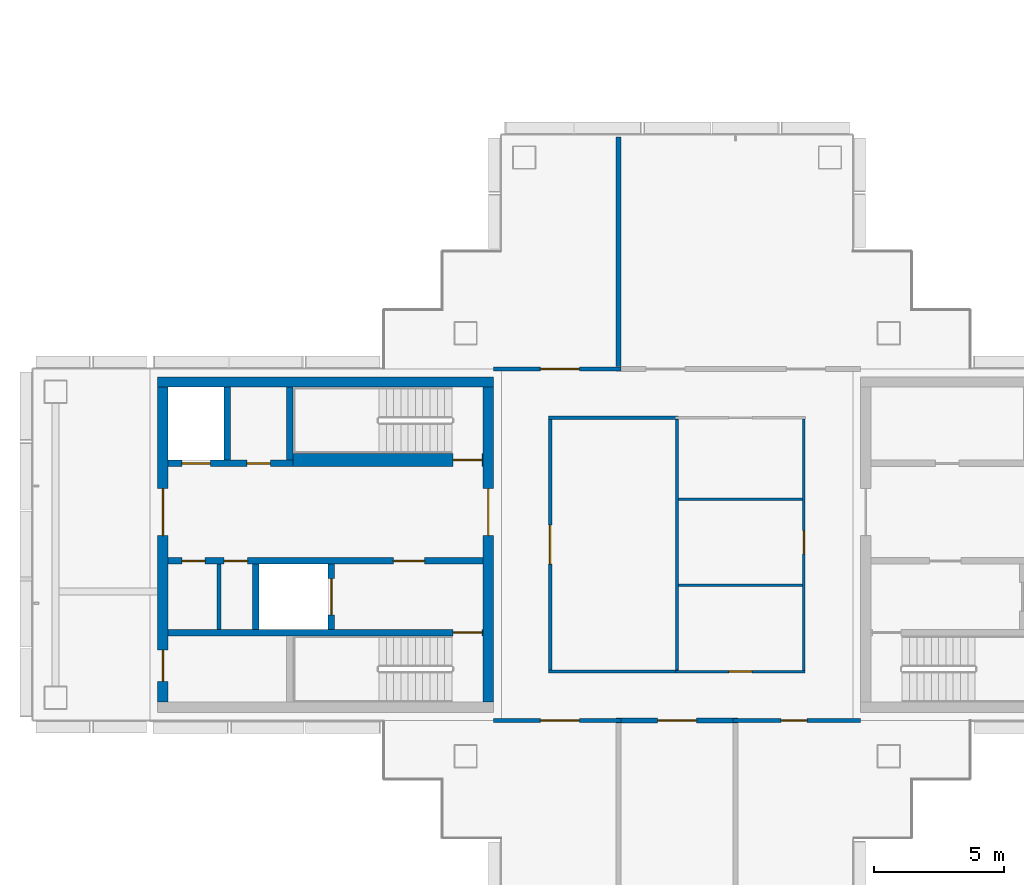
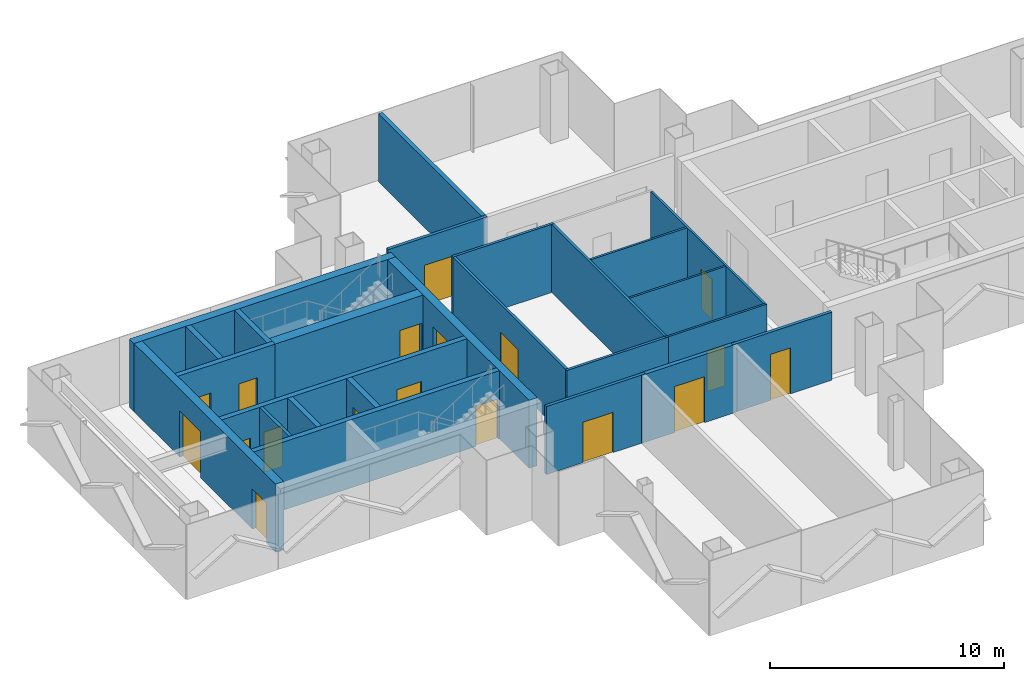
# One storey, part 9 of 17: 25 walls, 18 doors, 18 openings.
"""IFC4 building model written with IfcOpenShell, lengths in metres."""

import ifcopenshell
import ifcopenshell.guid

model = None  # the IFC model being written
_history = None  # IfcOwnerHistory: only IFC2X3 demands one
_inside = {}  # id of a spatial element -> (the spatial element, [elements in it])
_under = {}  # id of a project, library or spatial element -> (it, [spatial elements below it])
_declared = {}  # id of a project -> (the project, [libraries it declares])
_typed = {}  # id of a type object -> (the type object, [elements of that type])
_made_of = {}  # id of a material, layer set ... -> (it, [elements and type objects made of it])


def new_model(schema):
    """Start an empty IFC model of exactly this schema.

    Asked for "IFC4X3", IfcOpenShell would pick the latest addendum, in which some entities
    have other attributes; the version numbers below select the first issue.
    IFC2X3 requires an IfcOwnerHistory on every rooted entity: one is made here for all.
    """
    global model, _history
    if schema == "IFC4X3":
        model = ifcopenshell.file(schema_version=(4, 3, 0, 0))
    else:
        model = ifcopenshell.file(schema=schema)
    _inside.clear()
    _under.clear()
    _declared.clear()
    _typed.clear()
    _made_of.clear()
    _history = None
    if model.schema == "IFC2X3":
        org = make("IfcOrganization", Name="unknown")
        user = make(
            "IfcPersonAndOrganization",
            ThePerson=make("IfcPerson", FamilyName="unknown"),
            TheOrganization=org,
        )
        app = make(
            "IfcApplication",
            ApplicationDeveloper=org,
            Version="unknown",
            ApplicationFullName="unknown",
            ApplicationIdentifier="unknown",
        )
        _history = make(
            "IfcOwnerHistory",
            OwningUser=user,
            OwningApplication=app,
            ChangeAction="ADDED",
            CreationDate=0,
        )
    return model


def make(cls, **values):
    """One entity of the class cls with the attributes given. An attribute that is None is left unset."""
    return model.create_entity(
        cls, **{name: value for name, value in values.items() if value is not None}
    )


def rooted(cls, **values):
    """An entity with a GlobalId (a new one), such as an element, a storey or a relation."""
    return make(cls, GlobalId=ifcopenshell.guid.new(), OwnerHistory=_history, **values)


def si_unit(unit_type, name, prefix=None):
    """IfcSIUnit, for example si_unit("LENGTHUNIT", "METRE", prefix="MILLI")."""
    return make("IfcSIUnit", UnitType=unit_type, Prefix=prefix, Name=name)


def assignment(units):
    """IfcUnitAssignment: the units of a project."""
    return None if units is None else make("IfcUnitAssignment", Units=units)


def point(xyz):
    """IfcCartesianPoint."""
    return None if xyz is None else make("IfcCartesianPoint", Coordinates=xyz)


def direction(xyz):
    """IfcDirection."""
    return None if xyz is None else make("IfcDirection", DirectionRatios=xyz)


def frame(location, z_axis=None, x_axis=None):
    """IfcAxis2Placement3D, a coordinate frame: its origin and axes. An axis left out is left unset."""
    return make(
        "IfcAxis2Placement3D",
        Location=point(location),
        Axis=direction(z_axis),
        RefDirection=direction(x_axis),
    )


def frame_2d(location, x_axis=None):
    """IfcAxis2Placement2D, a coordinate frame in the plane: its origin and x axis."""
    return make(
        "IfcAxis2Placement2D", Location=point(location), RefDirection=direction(x_axis)
    )


def origin():
    """The frame at (0, 0, 0) with its axes left unset."""
    return frame((0.0, 0.0, 0.0))


def place(relative_to, where):
    """IfcLocalPlacement: puts the frame where relative to a parent placement (None: the world)."""
    return make(
        "IfcLocalPlacement", PlacementRelTo=relative_to, RelativePlacement=where
    )


def context(
    kind, dimensions, precision=None, world=None, true_north=None, identifier=None
):
    """IfcGeometricRepresentationContext, for example the 3D "Model" context."""
    return make(
        "IfcGeometricRepresentationContext",
        ContextIdentifier=identifier,
        ContextType=kind,
        CoordinateSpaceDimension=dimensions,
        Precision=precision,
        WorldCoordinateSystem=world,
        TrueNorth=true_north,
    )


def subcontext(parent, identifier, kind, view, scale=None):
    """IfcGeometricRepresentationSubContext, for example "Body" below "Model"."""
    return make(
        "IfcGeometricRepresentationSubContext",
        ContextIdentifier=identifier,
        ContextType=kind,
        ParentContext=parent,
        TargetScale=scale,
        TargetView=view,
    )


def project(units=None, contexts=None):
    """IfcProject with its units and contexts."""
    return rooted(
        "IfcProject",
        Name="project",
        RepresentationContexts=contexts,
        UnitsInContext=assignment(units),
    )


def spatial(cls, under=None, at=None, **own):
    """A site, building, storey or space (cls), placed at a placement, below another one or the project."""
    s = rooted(cls, ObjectPlacement=at, **own)
    if under is not None:
        _under.setdefault(under.id(), (under, []))[1].append(s)
    return s


def profile(cls, at=None, kind="AREA", **sizes):
    """A parametric profile (cls). Its sizes go by their IFC names, for example OverallWidth=200.0."""
    return make(cls, ProfileType=kind, Position=at, **sizes)


def rectangle(**sizes):
    """IfcRectangleProfileDef."""
    return profile("IfcRectangleProfileDef", **sizes)


def extrude(swept, where, along, depth):
    """IfcExtrudedAreaSolid: the profile swept, set in the frame where, extruded along a direction by depth."""
    return make(
        "IfcExtrudedAreaSolid",
        SweptArea=swept,
        Position=where,
        ExtrudedDirection=direction(along),
        Depth=depth,
    )


def shape(context_of_items, identifier, shape_type, items):
    """IfcShapeRepresentation: the items that make up one representation, for example the "Body"."""
    return make(
        "IfcShapeRepresentation",
        ContextOfItems=context_of_items,
        RepresentationIdentifier=identifier,
        RepresentationType=shape_type,
        Items=items,
    )


def material(Name=None, Category=None):
    """IfcMaterial."""
    return make("IfcMaterial", Name=Name, Category=Category)


def layer(
    of_material, thickness, ventilated=None, Name=None, Category=None, Priority=None
):
    """IfcMaterialLayer: one layer of a wall or slab, of a material (None: an air gap)."""
    return make(
        "IfcMaterialLayer",
        Material=of_material,
        LayerThickness=thickness,
        IsVentilated=ventilated,
        Name=Name,
        Category=Category,
        Priority=Priority,
    )


def layer_set(layers, Name=None):
    """IfcMaterialLayerSet."""
    return make("IfcMaterialLayerSet", MaterialLayers=layers, LayerSetName=Name)


def made_of(thing, what):
    """Note that an element or type object is made of a material, layer set ...; save() writes the relation."""
    if what is not None:
        _made_of.setdefault(what.id(), (what, []))[1].append(thing)
    return thing


def type_object(cls, material=None, **own):
    """A type object (cls), such as IfcWallType, which elements share."""
    return made_of(rooted(cls, **own), material)


def element(
    cls,
    number,
    at=None,
    inside=None,
    cuts=None,
    type_object=None,
    material=None,
    context=None,
    identifier="Body",
    shape_type=None,
    held_by="IfcProductDefinitionShape",
    body=None,
    shapes=None,
    **own,
):
    """One element of the class cls, such as IfcWall. Its Tag is "e" and its number.

    at: its placement. inside: the storey or other place that contains it. cuts: it is an
    opening in that element (IfcRelVoidsElement). A single representation is given by context,
    identifier, shape_type and body (its items); several are given by shapes. held_by: the class
    of the entity that holds the representations. save() writes the other relations.
    """
    e = rooted(cls, Tag="e%d" % number, ObjectPlacement=at, **own)
    if body is not None:
        shapes = [shape(context, identifier, shape_type, body)]
    if shapes is not None:
        e.Representation = make(held_by, Representations=shapes)
    if inside is not None:
        _inside.setdefault(inside.id(), (inside, []))[1].append(e)
    if cuts is not None:
        rooted(
            "IfcRelVoidsElement", RelatingBuildingElement=cuts, RelatedOpeningElement=e
        )
    if type_object is not None:
        _typed.setdefault(type_object.id(), (type_object, []))[1].append(e)
    return made_of(e, material)


def fill(opening, filler):
    """IfcRelFillsElement: the door or window that sits in an opening."""
    return rooted(
        "IfcRelFillsElement",
        RelatingOpeningElement=opening,
        RelatedBuildingElement=filler,
    )


def aggregate(whole, parts):
    """IfcRelAggregates: a whole, such as a stair, and the parts it consists of."""
    return rooted("IfcRelAggregates", RelatingObject=whole, RelatedObjects=parts)


def save(model, path):
    """Write the relations noted so far, then the file.

    IfcRelAggregates (storeys below a building ...), IfcRelContainedInSpatialStructure (elements
    in a storey), IfcRelDefinesByType, IfcRelAssociatesMaterial and IfcRelDeclares: one each for
    every whole, place, type object, material and project.
    """
    for whole, parts in _under.values():
        aggregate(whole, parts)
    for where, things in _inside.values():
        rooted(
            "IfcRelContainedInSpatialStructure",
            RelatedElements=things,
            RelatingStructure=where,
        )
    for kind, things in _typed.values():
        rooted("IfcRelDefinesByType", RelatedObjects=things, RelatingType=kind)
    for what, things in _made_of.values():
        rooted("IfcRelAssociatesMaterial", RelatedObjects=things, RelatingMaterial=what)
    for by, libraries in _declared.values():
        rooted("IfcRelDeclares", RelatingContext=by, RelatedDefinitions=libraries)
    model.write(path)


model = new_model("IFC4")

# Units and contexts
model_context = context("Model", 3, precision=1e-05, world=origin(), true_north=direction((0.0, 1.0)))
body_context = subcontext(model_context, "Body", "Model", "MODEL_VIEW")
ifc_project = project(units=[si_unit("LENGTHUNIT", "METRE"), si_unit("AREAUNIT", "SQUARE_METRE"), si_unit("VOLUMEUNIT", "CUBIC_METRE"), si_unit("PLANEANGLEUNIT", "RADIAN"), si_unit("MASSUNIT", "GRAM", prefix="KILO")], contexts=[model_context])

# Site, building, storey
site_placement = place(None, origin())
site = spatial("IfcSite", under=ifc_project, at=site_placement, CompositionType="ELEMENT")
building_placement = place(site_placement, origin())
building = spatial("IfcBuilding", under=site, at=building_placement, Name="Shamsa Quay Exchange Towers", CompositionType="ELEMENT")
storey_placement = place(building_placement, frame((0.0, 0.0, 257.699951171875)))
storey = spatial("IfcBuildingStorey", under=building, at=storey_placement, Name="L62", CompositionType="ELEMENT", Elevation=257.699951171875)

# Wall, opening, door
ifc_material_1 = material(Name="Double-leaf gypsum board partition with acoustic insulation")
ifc_layer_1 = layer(ifc_material_1, 0.199951171875)
ifc_layer_set_1 = layer_set([ifc_layer_1], Name="Acoustic partition 200 mm EI 60")
wall_type_1 = type_object("IfcWallType", Name="Acoustic partition 200 mm EI 60", PredefinedType="PARTITIONING", material=ifc_layer_set_1)
wall_1_placement = place(storey_placement, frame((-31.39990234375, -6.75, 0.0), z_axis=(0.0, 0.0, 1.0), x_axis=(-1.0, 0.0, 0.0)))
wall_1 = element("IfcWall", 1, at=wall_1_placement, inside=storey, type_object=wall_type_1, Name="Partition T1-R28-W11", PredefinedType="PARTITIONING", context=body_context, shape_type="SweptSolid", body=[
    extrude(rectangle(XDim=4.7001953125, YDim=0.199951171875, at=frame_2d((2.35009765625, 0.0))), origin(), (0.0, 0.0, 1.0), 3.550048828125),
])
opening_1_placement = place(wall_1_placement, frame((1.60009765625, 0.0, 0.0)))
opening_1 = element("IfcOpeningElement", 2, at=opening_1_placement, cuts=wall_1, Name="Opening T1-R28-D05", PredefinedType="OPENING", context=body_context, shape_type="SweptSolid", body=[
    extrude(rectangle(XDim=1.5, YDim=2.39990234375, at=frame_2d((0.75, 1.199951171875))), frame((0.0, 0.10986328125, 0.0), z_axis=(0.0, -1.0, 0.0), x_axis=(1.0, 0.0, 0.0)), (0.0, 0.0, 1.0), 0.219970703125),
])
ifc_material_2 = material(Name="Timber door leaf in a metal frame", Category="wood")
door_type_1 = type_object("IfcDoorType", Name="Door 1500x2400 FD30S pair", OperationType="NOTDEFINED", PredefinedType="DOOR", material=ifc_material_2)
door_1_placement = place(opening_1_placement, origin())
door_1 = element("IfcDoor", 3, at=door_1_placement, inside=storey, type_object=door_type_1, Name="Door T1-R28-D05", OperationType="DOUBLE_DOOR_SINGLE_SWING", OverallHeight=2.39990234375, OverallWidth=1.5, PredefinedType="DOOR", context=body_context, shape_type="SweptSolid", body=[
    extrude(rectangle(XDim=1.5, YDim=2.39990234375, at=frame_2d((0.75, 1.199951171875))), frame((0.0, 0.02490234375, 0.0), z_axis=(0.0, -1.0, 0.0), x_axis=(1.0, 0.0, 0.0)), (0.0, 0.0, 1.0), 0.050048828125),
])
fill(opening_1, door_1)

# Walls
wall_2_placement = place(storey_placement, frame((-36.0, 6.85009765625, 0.0), z_axis=(0.0, 0.0, 1.0), x_axis=(0.0, 1.0, 0.0)))
element("IfcWall", 4, at=wall_2_placement, inside=storey, type_object=wall_type_1, Name="Partition T1-R28-W16", PredefinedType="PARTITIONING", context=body_context, shape_type="SweptSolid", body=[
    extrude(rectangle(XDim=8.804931640625, YDim=0.199951171875, at=frame_2d((4.40234375, 0.0))), origin(), (0.0, 0.0, 1.0), 3.550048828125),
])
ifc_material_3 = material(Name="Concrete C60/75", Category="concrete")
ifc_layer_2 = layer(ifc_material_3, 0.39990234375)
ifc_layer_set_2 = layer_set([ifc_layer_2], Name="CORE WALL 400 C60/75")
wall_type_2 = type_object("IfcWallType", Name="CORE WALL 400 C60/75", PredefinedType="SHEAR", material=ifc_layer_set_2)
wall_3_placement = place(storey_placement, frame((-40.800048828125, 6.25, 0.0), z_axis=(0.0, 0.0, 1.0), x_axis=(-1.0, 0.0, 0.0)))
element("IfcWall", 5, at=wall_3_placement, inside=storey, type_object=wall_type_2, Name="Core wall T1B-R28-PN", PredefinedType="SHEAR", context=body_context, shape_type="SweptSolid", body=[
    extrude(rectangle(XDim=12.89990234375, YDim=0.39990234375, at=frame_2d((6.449951171875, 0.0))), origin(), (0.0, 0.0, 1.0), 3.550048828125),
])

# Wall, opening, door
wall_4_placement = place(storey_placement, frame((-41.0, -6.050048828125, 0.0), z_axis=(0.0, 0.0, 1.0), x_axis=(0.0, 1.0, 0.0)))
wall_4 = element("IfcWall", 6, at=wall_4_placement, inside=storey, type_object=wall_type_2, Name="Core wall T1B-R28-PF", PredefinedType="SHEAR", context=body_context, shape_type="SweptSolid", body=[
    extrude(rectangle(XDim=12.10009765625, YDim=0.39990234375, at=frame_2d((6.050048828125, 0.0))), origin(), (0.0, 0.0, 1.0), 3.550048828125),
])
opening_2_placement = place(wall_4_placement, frame((6.39990234375, 0.0, 0.0)))
opening_2 = element("IfcOpeningElement", 7, at=opening_2_placement, cuts=wall_4, Name="Opening T1B-R28-LBD01", PredefinedType="OPENING", context=body_context, shape_type="SweptSolid", body=[
    extrude(rectangle(XDim=1.800048828125, YDim=2.39990234375, at=frame_2d((0.89990234375, 1.199951171875))), frame((0.0, 0.2099609375, 0.0), z_axis=(0.0, -1.0, 0.0), x_axis=(1.0, 0.0, 0.0)), (0.0, 0.0, 1.0), 0.419921875),
])
ifc_material_4 = material(Name="Steel, fire rated", Category="steel")
door_type_2 = type_object("IfcDoorType", Name="LIFT LOBBY DOOR PAIR 1800", OperationType="DOUBLE_DOOR_SINGLE_SWING", PredefinedType="DOOR", material=ifc_material_4)
door_2_placement = place(opening_2_placement, origin())
door_2 = element("IfcDoor", 8, at=door_2_placement, inside=storey, type_object=door_type_2, Name="T1B-R28-LBD01", OperationType="DOUBLE_DOOR_SINGLE_SWING", OverallHeight=2.39990234375, OverallWidth=1.800048828125, PredefinedType="DOOR", context=body_context, shape_type="SweptSolid", body=[
    extrude(rectangle(XDim=1.800048828125, YDim=2.39990234375, at=frame_2d((0.89990234375, 1.199951171875))), frame((0.0, 0.02490234375, 0.0), z_axis=(0.0, -1.0, 0.0), x_axis=(1.0, 0.0, 0.0)), (0.0, 0.0, 1.0), 0.050048828125),
])
fill(opening_2, door_2)

# Wall, openings, doors
wall_5_placement = place(storey_placement, frame((-53.5, -6.050048828125, 0.0), z_axis=(0.0, 0.0, 1.0), x_axis=(0.0, 1.0, 0.0)))
wall_5 = element("IfcWall", 9, at=wall_5_placement, inside=storey, type_object=wall_type_2, Name="Core wall T1B-R28-PB", PredefinedType="SHEAR", context=body_context, shape_type="SweptSolid", body=[
    extrude(rectangle(XDim=12.10009765625, YDim=0.39990234375, at=frame_2d((6.050048828125, 0.0))), origin(), (0.0, 0.0, 1.0), 3.550048828125),
])
opening_3_placement = place(wall_5_placement, frame((0.800048828125, 0.0, 0.0)))
opening_3 = element("IfcOpeningElement", 10, at=opening_3_placement, cuts=wall_5, Name="Opening T1B-R28-RD02", PredefinedType="OPENING", context=body_context, shape_type="SweptSolid", body=[
    extrude(rectangle(XDim=1.199951171875, YDim=2.10009765625, at=frame_2d((0.60009765625, 1.050048828125))), frame((0.0, 0.2099609375, 0.0), z_axis=(0.0, -1.0, 0.0), x_axis=(1.0, 0.0, 0.0)), (0.0, 0.0, 1.0), 0.419921875),
])
opening_4_placement = place(wall_5_placement, frame((6.39990234375, 0.0, 0.0)))
opening_4 = element("IfcOpeningElement", 11, at=opening_4_placement, cuts=wall_5, Name="Opening T1B-R28-LBD03", PredefinedType="OPENING", context=body_context, shape_type="SweptSolid", body=[
    extrude(rectangle(XDim=1.800048828125, YDim=2.39990234375, at=frame_2d((0.89990234375, 1.199951171875))), frame((0.0, 0.2099609375, 0.0), z_axis=(0.0, -1.0, 0.0), x_axis=(1.0, 0.0, 0.0)), (0.0, 0.0, 1.0), 0.419921875),
])
door_3_placement = place(opening_4_placement, origin())
door_3 = element("IfcDoor", 12, at=door_3_placement, inside=storey, type_object=door_type_2, Name="T1B-R28-LBD03", OperationType="DOUBLE_DOOR_SINGLE_SWING", OverallHeight=2.39990234375, OverallWidth=1.800048828125, PredefinedType="DOOR", context=body_context, shape_type="SweptSolid", body=[
    extrude(rectangle(XDim=1.800048828125, YDim=2.39990234375, at=frame_2d((0.89990234375, 1.199951171875))), frame((0.0, 0.02490234375, 0.0), z_axis=(0.0, -1.0, 0.0), x_axis=(1.0, 0.0, 0.0)), (0.0, 0.0, 1.0), 0.050048828125),
])
fill(opening_4, door_3)
door_type_3 = type_object("IfcDoorType", Name="RISER ACCESS DOOR 1200", OperationType="SINGLE_SWING_LEFT", PredefinedType="DOOR", material=ifc_material_4)
door_4_placement = place(opening_3_placement, origin())
door_4 = element("IfcDoor", 13, at=door_4_placement, inside=storey, type_object=door_type_3, Name="T1B-R28-RD02", OperationType="SINGLE_SWING_LEFT", OverallHeight=2.10009765625, OverallWidth=1.199951171875, PredefinedType="DOOR", context=body_context, shape_type="SweptSolid", body=[
    extrude(rectangle(XDim=1.199951171875, YDim=2.10009765625, at=frame_2d((0.60009765625, 1.050048828125))), frame((0.0, 0.02490234375, 0.0), z_axis=(0.0, -1.0, 0.0), x_axis=(1.0, 0.0, 0.0)), (0.0, 0.0, 1.0), 0.050048828125),
])
fill(opening_3, door_4)

# Wall
ifc_material_5 = material(Name="Gypsum board on steel studs, EI 60", Category="steel")
ifc_layer_3 = layer(ifc_material_5, 0.14990234375)
ifc_layer_set_3 = layer_set([ifc_layer_3], Name="FIRE PARTITION 150")
wall_type_3 = type_object("IfcWallType", Name="FIRE PARTITION 150", PredefinedType="PARTITIONING", material=ifc_layer_set_3)
wall_6_placement = place(storey_placement, frame((-51.35009765625, -3.25, 0.0), z_axis=(0.0, 0.0, 1.0), x_axis=(0.0, 1.0, 0.0)))
element("IfcWall", 14, at=wall_6_placement, inside=storey, type_object=wall_type_3, Name="Partition T1B-R28-EC0", PredefinedType="PARTITIONING", context=body_context, shape_type="SweptSolid", body=[
    extrude(rectangle(XDim=2.5, YDim=0.14990234375, at=frame_2d((1.25, 0.0))), origin(), (0.0, 0.0, 1.0), 3.550048828125),
])

# Wall, opening, door
ifc_material_6 = material(Name="Laminated fire-resisting glass in a metal frame", Category="glass")
ifc_layer_4 = layer(ifc_material_6, 0.125)
ifc_layer_set_4 = layer_set([ifc_layer_4], Name="Glazed partition 125 mm EI 60")
wall_type_4 = type_object("IfcWallType", Name="Glazed partition 125 mm EI 60", PredefinedType="PARTITIONING", material=ifc_layer_set_4)
wall_7_placement = place(storey_placement, frame((-38.625, 4.8125, 0.0), z_axis=(0.0, 0.0, 1.0), x_axis=(0.0, -1.0, 0.0)))
wall_7 = element("IfcWall", 15, at=wall_7_placement, inside=storey, type_object=wall_type_4, Name="Partition T1-R28-W01", PredefinedType="PARTITIONING", context=body_context, shape_type="SweptSolid", body=[
    extrude(rectangle(XDim=9.625, YDim=0.125, at=frame_2d((4.8125, 0.0))), origin(), (0.0, 0.0, 1.0), 3.550048828125),
])
opening_5_placement = place(wall_7_placement, frame((4.0625, 0.0, 0.0)))
opening_5 = element("IfcOpeningElement", 16, at=opening_5_placement, cuts=wall_7, Name="Opening T1-R28-D02", PredefinedType="OPENING", context=body_context, shape_type="SweptSolid", body=[
    extrude(rectangle(XDim=1.5, YDim=2.10009765625, at=frame_2d((0.75, 1.050048828125))), frame((0.0, 0.072509765625, 0.0), z_axis=(0.0, -1.0, 0.0), x_axis=(1.0, 0.0, 0.0)), (0.0, 0.0, 1.0), 0.14501953125),
])
door_type_4 = type_object("IfcDoorType", Name="Door 1500x2100 FD30S pair", OperationType="NOTDEFINED", PredefinedType="DOOR", material=ifc_material_2)
door_5_placement = place(opening_5_placement, origin())
door_5 = element("IfcDoor", 17, at=door_5_placement, inside=storey, type_object=door_type_4, Name="Door T1-R28-D02", OperationType="DOUBLE_DOOR_SINGLE_SWING", OverallHeight=2.10009765625, OverallWidth=1.5, PredefinedType="DOOR", context=body_context, shape_type="SweptSolid", body=[
    extrude(rectangle(XDim=1.5, YDim=2.10009765625, at=frame_2d((0.75, 1.050048828125))), frame((0.0, 0.02490234375, 0.0), z_axis=(0.0, -1.0, 0.0), x_axis=(1.0, 0.0, 0.0)), (0.0, 0.0, 1.0), 0.050048828125),
])
fill(opening_5, door_5)

# Walls
wall_8_placement = place(storey_placement, frame((-38.6875, -4.875, 0.0)))
element("IfcWall", 18, at=wall_8_placement, inside=storey, type_object=wall_type_4, Name="Partition T1-R28-W02", PredefinedType="PARTITIONING", context=body_context, shape_type="SweptSolid", body=[
    extrude(rectangle(XDim=5.0, YDim=0.125, at=frame_2d((2.5, 0.0))), origin(), (0.0, 0.0, 1.0), 3.550048828125),
])
wall_9_placement = place(storey_placement, frame((-33.6875, 4.875, 0.0), z_axis=(0.0, 0.0, 1.0), x_axis=(-1.0, 0.0, 0.0)))
element("IfcWall", 19, at=wall_9_placement, inside=storey, type_object=wall_type_4, Name="Partition T1-R28-W03", PredefinedType="PARTITIONING", context=body_context, shape_type="SweptSolid", body=[
    extrude(rectangle(XDim=5.0, YDim=0.125, at=frame_2d((2.5, 0.0))), origin(), (0.0, 0.0, 1.0), 3.550048828125),
])
wall_10_placement = place(storey_placement, frame((-33.75, -4.8125, 0.0), z_axis=(0.0, 0.0, 1.0), x_axis=(0.0, 1.0, 0.0)))
element("IfcWall", 20, at=wall_10_placement, inside=storey, type_object=wall_type_4, Name="Partition T1-R28-W12", PredefinedType="PARTITIONING", context=body_context, shape_type="SweptSolid", body=[
    extrude(rectangle(XDim=9.625, YDim=0.125, at=frame_2d((4.8125, 0.0))), origin(), (0.0, 0.0, 1.0), 3.550048828125),
])

# Wall, opening, door
ifc_material_7 = material(Name="Gypsum board partition on metal studs")
ifc_layer_5 = layer(ifc_material_7, 0.10009765625)
ifc_layer_set_5 = layer_set([ifc_layer_5], Name="Partition 100 mm NOT RATED")
wall_type_5 = type_object("IfcWallType", Name="Partition 100 mm NOT RATED", PredefinedType="PARTITIONING", material=ifc_layer_set_5)
wall_11_placement = place(storey_placement, frame((-33.8125, -4.875, 0.0)))
wall_11 = element("IfcWall", 21, at=wall_11_placement, inside=storey, type_object=wall_type_5, Name="Partition T1-R28-W04", PredefinedType="PARTITIONING", context=body_context, shape_type="SweptSolid", body=[
    extrude(rectangle(XDim=4.987548828125, YDim=0.10009765625, at=frame_2d((2.49365234375, 0.0))), origin(), (0.0, 0.0, 1.0), 3.550048828125),
])
opening_6_placement = place(wall_11_placement, frame((2.050048828125, 0.0, 0.0)))
opening_6 = element("IfcOpeningElement", 22, at=opening_6_placement, cuts=wall_11, Name="Opening T1-R28-D04", PredefinedType="OPENING", context=body_context, shape_type="SweptSolid", body=[
    extrude(rectangle(XDim=0.89990234375, YDim=2.10009765625, at=frame_2d((0.449951171875, 1.050048828125))), frame((0.0, 0.06005859375, 0.0), z_axis=(0.0, -1.0, 0.0), x_axis=(1.0, 0.0, 0.0)), (0.0, 0.0, 1.0), 0.1201171875),
])
door_type_5 = type_object("IfcDoorType", Name="Door 900x2100 NOT RATED", OperationType="NOTDEFINED", PredefinedType="DOOR", material=ifc_material_2)
door_6_placement = place(opening_6_placement, origin())
door_6 = element("IfcDoor", 23, at=door_6_placement, inside=storey, type_object=door_type_5, Name="Door T1-R28-D04", OperationType="SINGLE_SWING_LEFT", OverallHeight=2.10009765625, OverallWidth=0.89990234375, PredefinedType="DOOR", context=body_context, shape_type="SweptSolid", body=[
    extrude(rectangle(XDim=0.89990234375, YDim=2.10009765625, at=frame_2d((0.449951171875, 1.050048828125))), frame((0.0, 0.02490234375, 0.0), z_axis=(0.0, -1.0, 0.0), x_axis=(1.0, 0.0, 0.0)), (0.0, 0.0, 1.0), 0.050048828125),
])
fill(opening_6, door_6)

wall_12_placement = place(storey_placement, frame((-28.875, -4.824951171875, 0.0), z_axis=(0.0, 0.0, 1.0), x_axis=(0.0, 1.0, 0.0)))
wall_12 = element("IfcWall", 24, at=wall_12_placement, inside=storey, type_object=wall_type_5, Name="Partition T1-R28-W05", PredefinedType="PARTITIONING", context=body_context, shape_type="SweptSolid", body=[
    extrude(rectangle(XDim=9.64990234375, YDim=0.10009765625, at=frame_2d((4.824951171875, 0.0))), origin(), (0.0, 0.0, 1.0), 3.550048828125),
])
opening_7_placement = place(wall_12_placement, frame((4.46875, 0.0, 0.0)))
opening_7 = element("IfcOpeningElement", 25, at=opening_7_placement, cuts=wall_12, Name="Opening T1-R28-D06", PredefinedType="OPENING", context=body_context, shape_type="SweptSolid", body=[
    extrude(rectangle(XDim=0.89990234375, YDim=2.10009765625, at=frame_2d((0.449951171875, 1.050048828125))), frame((0.0, 0.06005859375, 0.0), z_axis=(0.0, -1.0, 0.0), x_axis=(1.0, 0.0, 0.0)), (0.0, 0.0, 1.0), 0.1201171875),
])
door_7_placement = place(opening_7_placement, origin())
door_7 = element("IfcDoor", 26, at=door_7_placement, inside=storey, type_object=door_type_5, Name="Door T1-R28-D06", OperationType="SINGLE_SWING_RIGHT", OverallHeight=2.10009765625, OverallWidth=0.89990234375, PredefinedType="DOOR", context=body_context, shape_type="SweptSolid", body=[
    extrude(rectangle(XDim=0.89990234375, YDim=2.10009765625, at=frame_2d((0.449951171875, 1.050048828125))), frame((0.0, 0.02490234375, 0.0), z_axis=(0.0, -1.0, 0.0), x_axis=(1.0, 0.0, 0.0)), (0.0, 0.0, 1.0), 0.050048828125),
])
fill(opening_7, door_7)

# Walls
for number, where, z_axis, x_axis, name in (
    (27, (-28.925048828125, -1.5625, 0.0), (0.0, 0.0, 1.0), (-1.0, 0.0, 0.0), "Partition T1-R28-W13"),
    (28, (-28.925048828125, 1.75, 0.0), (0.0, 0.0, 1.0), (-1.0, 0.0, 0.0), "Partition T1-R28-W14"),
):
    element("IfcWall", number, at=place(storey_placement, frame(where, z_axis=z_axis, x_axis=x_axis)), inside=storey, type_object=wall_type_5, Name=name, PredefinedType="PARTITIONING", context=body_context, shape_type="SweptSolid", body=[
        extrude(rectangle(XDim=4.762451171875, YDim=0.10009765625, at=frame_2d((2.38134765625, 0.0))), origin(), (0.0, 0.0, 1.0), 3.550048828125),
    ])

# Wall, opening, door
ifc_layer_6 = layer(ifc_material_7, 0.14990234375)
ifc_layer_set_6 = layer_set([ifc_layer_6], Name="Partition 150 mm EI 60")
wall_type_6 = type_object("IfcWallType", Name="Partition 150 mm EI 60", PredefinedType="PARTITIONING", material=ifc_layer_set_6)
wall_13_placement = place(storey_placement, frame((-40.800048828125, 6.75, 0.0)))
wall_13 = element("IfcWall", 29, at=wall_13_placement, inside=storey, type_object=wall_type_6, Name="Partition T1-R28-W07", PredefinedType="PARTITIONING", context=body_context, shape_type="SweptSolid", body=[
    extrude(rectangle(XDim=4.900146484375, YDim=0.14990234375, at=frame_2d((2.4501953125, 0.0))), origin(), (0.0, 0.0, 1.0), 3.550048828125),
])
opening_8_placement = place(wall_13_placement, frame((1.800048828125, 0.0, 0.0)))
opening_8 = element("IfcOpeningElement", 30, at=opening_8_placement, cuts=wall_13, Name="Opening T1-R28-D01", PredefinedType="OPENING", context=body_context, shape_type="SweptSolid", body=[
    extrude(rectangle(XDim=1.5, YDim=2.10009765625, at=frame_2d((0.75, 1.050048828125))), frame((0.0, 0.0849609375, 0.0), z_axis=(0.0, -1.0, 0.0), x_axis=(1.0, 0.0, 0.0)), (0.0, 0.0, 1.0), 0.169921875),
])
door_8_placement = place(opening_8_placement, origin())
door_8 = element("IfcDoor", 31, at=door_8_placement, inside=storey, type_object=door_type_4, Name="Door T1-R28-D01", OperationType="DOUBLE_DOOR_SINGLE_SWING", OverallHeight=2.10009765625, OverallWidth=1.5, PredefinedType="DOOR", context=body_context, shape_type="SweptSolid", body=[
    extrude(rectangle(XDim=1.5, YDim=2.10009765625, at=frame_2d((0.75, 1.050048828125))), frame((0.0, 0.02490234375, 0.0), z_axis=(0.0, -1.0, 0.0), x_axis=(1.0, 0.0, 0.0)), (0.0, 0.0, 1.0), 0.050048828125),
])
fill(opening_8, door_8)

wall_14_placement = place(storey_placement, frame((-26.699951171875, -6.75, 0.0), z_axis=(0.0, 0.0, 1.0), x_axis=(-1.0, 0.0, 0.0)))
wall_14 = element("IfcWall", 32, at=wall_14_placement, inside=storey, type_object=wall_type_6, Name="Partition T1-R28-W09", PredefinedType="PARTITIONING", context=body_context, shape_type="SweptSolid", body=[
    extrude(rectangle(XDim=4.900146484375, YDim=0.14990234375, at=frame_2d((2.4501953125, 0.0))), origin(), (0.0, 0.0, 1.0), 3.550048828125),
])
opening_9_placement = place(wall_14_placement, frame((2.050048828125, 0.0, 0.0)))
opening_9 = element("IfcOpeningElement", 33, at=opening_9_placement, cuts=wall_14, Name="Opening T1-R28-D08", PredefinedType="OPENING", context=body_context, shape_type="SweptSolid", body=[
    extrude(rectangle(XDim=1.0, YDim=2.39990234375, at=frame_2d((0.5, 1.199951171875))), frame((0.0, 0.0849609375, 0.0), z_axis=(0.0, -1.0, 0.0), x_axis=(1.0, 0.0, 0.0)), (0.0, 0.0, 1.0), 0.169921875),
])
door_type_6 = type_object("IfcDoorType", Name="Door 1000x2400 FD30S", OperationType="NOTDEFINED", PredefinedType="DOOR", material=ifc_material_2)
door_9_placement = place(opening_9_placement, origin())
door_9 = element("IfcDoor", 34, at=door_9_placement, inside=storey, type_object=door_type_6, Name="Door T1-R28-D08", OperationType="SINGLE_SWING_LEFT", OverallHeight=2.39990234375, OverallWidth=1.0, PredefinedType="DOOR", context=body_context, shape_type="SweptSolid", body=[
    extrude(rectangle(XDim=1.0, YDim=2.39990234375, at=frame_2d((0.5, 1.199951171875))), frame((0.0, 0.02490234375, 0.0), z_axis=(0.0, -1.0, 0.0), x_axis=(1.0, 0.0, 0.0)), (0.0, 0.0, 1.0), 0.050048828125),
])
fill(opening_9, door_9)

wall_15_placement = place(storey_placement, frame((-35.89990234375, -6.75, 0.0), z_axis=(0.0, 0.0, 1.0), x_axis=(-1.0, 0.0, 0.0)))
wall_15 = element("IfcWall", 35, at=wall_15_placement, inside=storey, type_object=wall_type_6, Name="Partition T1-R28-W10", PredefinedType="PARTITIONING", context=body_context, shape_type="SweptSolid", body=[
    extrude(rectangle(XDim=4.900146484375, YDim=0.14990234375, at=frame_2d((2.4501953125, 0.0))), origin(), (0.0, 0.0, 1.0), 3.550048828125),
])
opening_10_placement = place(wall_15_placement, frame((1.60009765625, 0.0, 0.0)))
opening_10 = element("IfcOpeningElement", 36, at=opening_10_placement, cuts=wall_15, Name="Opening T1-R28-D03", PredefinedType="OPENING", context=body_context, shape_type="SweptSolid", body=[
    extrude(rectangle(XDim=1.5, YDim=2.10009765625, at=frame_2d((0.75, 1.050048828125))), frame((0.0, 0.0849609375, 0.0), z_axis=(0.0, -1.0, 0.0), x_axis=(1.0, 0.0, 0.0)), (0.0, 0.0, 1.0), 0.169921875),
])
door_10_placement = place(opening_10_placement, origin())
door_10 = element("IfcDoor", 37, at=door_10_placement, inside=storey, type_object=door_type_4, Name="Door T1-R28-D03", OperationType="DOUBLE_DOOR_SINGLE_SWING", OverallHeight=2.10009765625, OverallWidth=1.5, PredefinedType="DOOR", context=body_context, shape_type="SweptSolid", body=[
    extrude(rectangle(XDim=1.5, YDim=2.10009765625, at=frame_2d((0.75, 1.050048828125))), frame((0.0, 0.02490234375, 0.0), z_axis=(0.0, -1.0, 0.0), x_axis=(1.0, 0.0, 0.0)), (0.0, 0.0, 1.0), 0.050048828125),
])
fill(opening_10, door_10)

ifc_material_8 = material(Name="Concrete C50/60", Category="concrete")
ifc_layer_7 = layer(ifc_material_8, 0.25)
ifc_layer_set_7 = layer_set([ifc_layer_7], Name="SHAFT WALL 250 C50/60")
wall_type_7 = type_object("IfcWallType", Name="SHAFT WALL 250 C50/60", PredefinedType="SHEAR", material=ifc_layer_set_7)
wall_16_placement = place(storey_placement, frame((-41.199951171875, -3.375, 0.0), z_axis=(0.0, 0.0, 1.0), x_axis=(-1.0, 0.0, 0.0)))
wall_16 = element("IfcWall", 38, at=wall_16_placement, inside=storey, type_object=wall_type_7, Name="Shaft wall T1B-R28-STL", PredefinedType="SHEAR", context=body_context, shape_type="SweptSolid", body=[
    extrude(rectangle(XDim=12.10009765625, YDim=0.25, at=frame_2d((6.050048828125, 0.0))), origin(), (0.0, 0.0, 1.0), 3.550048828125),
])
opening_11_placement = place(wall_16_placement, frame((0.050048828125, 0.0, 0.0)))
opening_11 = element("IfcOpeningElement", 39, at=opening_11_placement, cuts=wall_16, Name="Opening T1B-R28-SD04", PredefinedType="OPENING", context=body_context, shape_type="SweptSolid", body=[
    extrude(rectangle(XDim=1.10009765625, YDim=2.10009765625, at=frame_2d((0.550048828125, 1.050048828125))), frame((0.0, 0.135009765625, 0.0), z_axis=(0.0, -1.0, 0.0), x_axis=(1.0, 0.0, 0.0)), (0.0, 0.0, 1.0), 0.27001953125),
])
door_type_7 = type_object("IfcDoorType", Name="STAIR DOOR 1100", OperationType="SINGLE_SWING_LEFT", PredefinedType="DOOR", material=ifc_material_4)
door_11_placement = place(opening_11_placement, origin())
door_11 = element("IfcDoor", 40, at=door_11_placement, inside=storey, type_object=door_type_7, Name="T1B-R28-SD04", OperationType="SINGLE_SWING_LEFT", OverallHeight=2.10009765625, OverallWidth=1.10009765625, PredefinedType="DOOR", context=body_context, shape_type="SweptSolid", body=[
    extrude(rectangle(XDim=1.10009765625, YDim=2.10009765625, at=frame_2d((0.550048828125, 1.050048828125))), frame((0.0, 0.02490234375, 0.0), z_axis=(0.0, -1.0, 0.0), x_axis=(1.0, 0.0, 0.0)), (0.0, 0.0, 1.0), 0.050048828125),
])
fill(opening_11, door_11)

# Wall, openings, doors
wall_17_placement = place(storey_placement, frame((-41.199951171875, -0.625, 0.0), z_axis=(0.0, 0.0, 1.0), x_axis=(-1.0, 0.0, 0.0)))
wall_17 = element("IfcWall", 41, at=wall_17_placement, inside=storey, type_object=wall_type_7, Name="Shaft wall T1B-R28-B", PredefinedType="SHEAR", context=body_context, shape_type="SweptSolid", body=[
    extrude(rectangle(XDim=12.10009765625, YDim=0.25, at=frame_2d((6.050048828125, 0.0))), origin(), (0.0, 0.0, 1.0), 3.550048828125),
])
opening_12_placement = place(wall_17_placement, frame((2.25, 0.0, 0.0)))
opening_12 = element("IfcOpeningElement", 42, at=opening_12_placement, cuts=wall_17, Name="Opening T1B-R28-FD05", PredefinedType="OPENING", context=body_context, shape_type="SweptSolid", body=[
    extrude(rectangle(XDim=1.199951171875, YDim=2.10009765625, at=frame_2d((0.60009765625, 1.050048828125))), frame((0.0, 0.135009765625, 0.0), z_axis=(0.0, -1.0, 0.0), x_axis=(1.0, 0.0, 0.0)), (0.0, 0.0, 1.0), 0.27001953125),
])
opening_13_placement = place(wall_17_placement, frame((9.050048828125, 0.0, 0.0)))
opening_13 = element("IfcOpeningElement", 43, at=opening_13_placement, cuts=wall_17, Name="Opening T1B-R28-SV06", PredefinedType="OPENING", context=body_context, shape_type="SweptSolid", body=[
    extrude(rectangle(XDim=0.89990234375, YDim=2.10009765625, at=frame_2d((0.449951171875, 1.050048828125))), frame((0.0, 0.135009765625, 0.0), z_axis=(0.0, -1.0, 0.0), x_axis=(1.0, 0.0, 0.0)), (0.0, 0.0, 1.0), 0.27001953125),
])
opening_14_placement = place(wall_17_placement, frame((10.675048828125, 0.0, 0.0)))
opening_14 = element("IfcOpeningElement", 44, at=opening_14_placement, cuts=wall_17, Name="Opening T1B-R28-SV07", PredefinedType="OPENING", context=body_context, shape_type="SweptSolid", body=[
    extrude(rectangle(XDim=0.89990234375, YDim=2.10009765625, at=frame_2d((0.449951171875, 1.050048828125))), frame((0.0, 0.135009765625, 0.0), z_axis=(0.0, -1.0, 0.0), x_axis=(1.0, 0.0, 0.0)), (0.0, 0.0, 1.0), 0.27001953125),
])
door_type_8 = type_object("IfcDoorType", Name="FIRE SERVICE LOBBY DOOR 1200", OperationType="SINGLE_SWING_LEFT", PredefinedType="DOOR", material=ifc_material_4)
door_12_placement = place(opening_12_placement, origin())
door_12 = element("IfcDoor", 45, at=door_12_placement, inside=storey, type_object=door_type_8, Name="T1B-R28-FD05", OperationType="SINGLE_SWING_LEFT", OverallHeight=2.10009765625, OverallWidth=1.199951171875, PredefinedType="DOOR", context=body_context, shape_type="SweptSolid", body=[
    extrude(rectangle(XDim=1.199951171875, YDim=2.10009765625, at=frame_2d((0.60009765625, 1.050048828125))), frame((0.0, 0.02490234375, 0.0), z_axis=(0.0, -1.0, 0.0), x_axis=(1.0, 0.0, 0.0)), (0.0, 0.0, 1.0), 0.050048828125),
])
fill(opening_12, door_12)
door_type_9 = type_object("IfcDoorType", Name="SERVICE ROOM DOOR 900", OperationType="SINGLE_SWING_LEFT", PredefinedType="DOOR", material=ifc_material_4)
door_13_placement = place(opening_13_placement, origin())
door_13 = element("IfcDoor", 46, at=door_13_placement, inside=storey, type_object=door_type_9, Name="T1B-R28-SV06", OperationType="SINGLE_SWING_RIGHT", OverallHeight=2.10009765625, OverallWidth=0.89990234375, PredefinedType="DOOR", context=body_context, shape_type="SweptSolid", body=[
    extrude(rectangle(XDim=0.89990234375, YDim=2.10009765625, at=frame_2d((0.449951171875, 1.050048828125))), frame((0.0, 0.02490234375, 0.0), z_axis=(0.0, -1.0, 0.0), x_axis=(1.0, 0.0, 0.0)), (0.0, 0.0, 1.0), 0.050048828125),
])
fill(opening_13, door_13)
door_14_placement = place(opening_14_placement, origin())
door_14 = element("IfcDoor", 47, at=door_14_placement, inside=storey, type_object=door_type_9, Name="T1B-R28-SV07", OperationType="SINGLE_SWING_RIGHT", OverallHeight=2.10009765625, OverallWidth=0.89990234375, PredefinedType="DOOR", context=body_context, shape_type="SweptSolid", body=[
    extrude(rectangle(XDim=0.89990234375, YDim=2.10009765625, at=frame_2d((0.449951171875, 1.050048828125))), frame((0.0, 0.02490234375, 0.0), z_axis=(0.0, -1.0, 0.0), x_axis=(1.0, 0.0, 0.0)), (0.0, 0.0, 1.0), 0.050048828125),
])
fill(opening_14, door_14)

# Wall, opening, door
wall_18_placement = place(storey_placement, frame((-47.02490234375, -3.25, 0.0), z_axis=(0.0, 0.0, 1.0), x_axis=(0.0, 1.0, 0.0)))
wall_18 = element("IfcWall", 48, at=wall_18_placement, inside=storey, type_object=wall_type_7, Name="Shaft wall T1B-R28-FFF", PredefinedType="SHEAR", context=body_context, shape_type="SweptSolid", body=[
    extrude(rectangle(XDim=2.5, YDim=0.25, at=frame_2d((1.25, 0.0))), origin(), (0.0, 0.0, 1.0), 3.550048828125),
])
opening_15_placement = place(wall_18_placement, frame((0.550048828125, 0.0, 0.0)))
opening_15 = element("IfcOpeningElement", 49, at=opening_15_placement, cuts=wall_18, Name="Opening T1B-R28-LDG08", PredefinedType="OPENING", context=body_context, shape_type="SweptSolid", body=[
    extrude(rectangle(XDim=1.39990234375, YDim=2.39990234375, at=frame_2d((0.699951171875, 1.199951171875))), frame((0.0, 0.135009765625, 0.0), z_axis=(0.0, -1.0, 0.0), x_axis=(1.0, 0.0, 0.0)), (0.0, 0.0, 1.0), 0.27001953125),
])
door_type_10 = type_object("IfcDoorType", Name="GOODS LIFT LANDING DOOR 1400", OperationType="SLIDING_TO_LEFT", PredefinedType="DOOR", material=ifc_material_4)
door_15_placement = place(opening_15_placement, origin())
door_15 = element("IfcDoor", 50, at=door_15_placement, inside=storey, type_object=door_type_10, Name="T1B-R28-LDG08", OperationType="SLIDING_TO_LEFT", OverallHeight=2.39990234375, OverallWidth=1.39990234375, PredefinedType="DOOR", context=body_context, shape_type="SweptSolid", body=[
    extrude(rectangle(XDim=1.39990234375, YDim=2.39990234375, at=frame_2d((0.699951171875, 1.199951171875))), frame((0.0, 0.02490234375, 0.0), z_axis=(0.0, -1.0, 0.0), x_axis=(1.0, 0.0, 0.0)), (0.0, 0.0, 1.0), 0.050048828125),
])
fill(opening_15, door_15)

# Wall
wall_19_placement = place(storey_placement, frame((-49.925048828125, -3.25, 0.0), z_axis=(0.0, 0.0, 1.0), x_axis=(0.0, 1.0, 0.0)))
element("IfcWall", 51, at=wall_19_placement, inside=storey, type_object=wall_type_7, Name="Shaft wall T1B-R28-FFB", PredefinedType="SHEAR", context=body_context, shape_type="SweptSolid", body=[
    extrude(rectangle(XDim=2.5, YDim=0.25, at=frame_2d((1.25, 0.0))), origin(), (0.0, 0.0, 1.0), 3.550048828125),
])

# Wall, openings, doors
wall_20_placement = place(storey_placement, frame((-53.300048828125, 3.125, 0.0)))
wall_20 = element("IfcWall", 52, at=wall_20_placement, inside=storey, type_object=wall_type_7, Name="Shaft wall T1B-R28-N2", PredefinedType="SHEAR", context=body_context, shape_type="SweptSolid", body=[
    extrude(rectangle(XDim=4.800048828125, YDim=0.25, at=frame_2d((2.39990234375, 0.0))), origin(), (0.0, 0.0, 1.0), 3.550048828125),
])
opening_16_placement = place(wall_20_placement, frame((0.52490234375, 0.0, 0.0)))
opening_16 = element("IfcOpeningElement", 53, at=opening_16_placement, cuts=wall_20, Name="Opening T1B-R28-LD10", PredefinedType="OPENING", context=body_context, shape_type="SweptSolid", body=[
    extrude(rectangle(XDim=1.10009765625, YDim=2.10009765625, at=frame_2d((0.550048828125, 1.050048828125))), frame((0.0, 0.135009765625, 0.0), z_axis=(0.0, -1.0, 0.0), x_axis=(1.0, 0.0, 0.0)), (0.0, 0.0, 1.0), 0.27001953125),
])
opening_17_placement = place(wall_20_placement, frame((3.02490234375, 0.0, 0.0)))
opening_17 = element("IfcOpeningElement", 54, at=opening_17_placement, cuts=wall_20, Name="Opening T1B-R28-SV11", PredefinedType="OPENING", context=body_context, shape_type="SweptSolid", body=[
    extrude(rectangle(XDim=0.89990234375, YDim=2.10009765625, at=frame_2d((0.449951171875, 1.050048828125))), frame((0.0, 0.135009765625, 0.0), z_axis=(0.0, -1.0, 0.0), x_axis=(1.0, 0.0, 0.0)), (0.0, 0.0, 1.0), 0.27001953125),
])
door_type_11 = type_object("IfcDoorType", Name="LANDING DOOR 1100", OperationType="SLIDING_TO_LEFT", PredefinedType="DOOR", material=ifc_material_4)
door_16_placement = place(opening_16_placement, origin())
door_16 = element("IfcDoor", 55, at=door_16_placement, inside=storey, type_object=door_type_11, Name="T1B-R28-LD10", OperationType="SLIDING_TO_LEFT", OverallHeight=2.10009765625, OverallWidth=1.10009765625, PredefinedType="DOOR", context=body_context, shape_type="SweptSolid", body=[
    extrude(rectangle(XDim=1.10009765625, YDim=2.10009765625, at=frame_2d((0.550048828125, 1.050048828125))), frame((0.0, 0.02490234375, 0.0), z_axis=(0.0, -1.0, 0.0), x_axis=(1.0, 0.0, 0.0)), (0.0, 0.0, 1.0), 0.050048828125),
])
fill(opening_16, door_16)
door_17_placement = place(opening_17_placement, origin())
door_17 = element("IfcDoor", 56, at=door_17_placement, inside=storey, type_object=door_type_9, Name="T1B-R28-SV11", OperationType="SINGLE_SWING_RIGHT", OverallHeight=2.10009765625, OverallWidth=0.89990234375, PredefinedType="DOOR", context=body_context, shape_type="SweptSolid", body=[
    extrude(rectangle(XDim=0.89990234375, YDim=2.10009765625, at=frame_2d((0.449951171875, 1.050048828125))), frame((0.0, 0.02490234375, 0.0), z_axis=(0.0, -1.0, 0.0), x_axis=(1.0, 0.0, 0.0)), (0.0, 0.0, 1.0), 0.050048828125),
])
fill(opening_17, door_17)

# Walls
for number, where, z_axis, x_axis, name in (
    (57, (-48.625, 3.25, 0.0), (0.0, 0.0, 1.0), (0.0, 1.0, 0.0), "Shaft wall T1B-R28-STF2"),
    (58, (-51.02490234375, 3.25, 0.0), (0.0, 0.0, 1.0), (0.0, 1.0, 0.0), "Shaft wall T1B-R28-D0"),
):
    element("IfcWall", number, at=place(storey_placement, frame(where, z_axis=z_axis, x_axis=x_axis)), inside=storey, type_object=wall_type_7, Name=name, PredefinedType="SHEAR", context=body_context, shape_type="SweptSolid", body=[
        extrude(rectangle(XDim=2.800048828125, YDim=0.25, at=frame_2d((1.39990234375, 0.0))), origin(), (0.0, 0.0, 1.0), 3.550048828125),
    ])

# Wall, opening, door
ifc_layer_8 = layer(ifc_material_8, 0.5)
ifc_layer_set_8 = layer_set([ifc_layer_8], Name="SHAFT WALL 500 C50/60")
wall_type_8 = type_object("IfcWallType", Name="SHAFT WALL 500 C50/60", PredefinedType="SHEAR", material=ifc_layer_set_8)
wall_21_placement = place(storey_placement, frame((-48.5, 3.25, 0.0)))
wall_21 = element("IfcWall", 59, at=wall_21_placement, inside=storey, type_object=wall_type_8, Name="Shaft wall T1B-R28-N", PredefinedType="SHEAR", context=body_context, shape_type="SweptSolid", body=[
    extrude(rectangle(XDim=7.300048828125, YDim=0.5, at=frame_2d((3.64990234375, 0.0))), origin(), (0.0, 0.0, 1.0), 3.550048828125),
])
opening_18_placement = place(wall_21_placement, frame((6.14990234375, 0.0, 0.0)))
opening_18 = element("IfcOpeningElement", 60, at=opening_18_placement, cuts=wall_21, Name="Opening T1B-R28-SD09", PredefinedType="OPENING", context=body_context, shape_type="SweptSolid", body=[
    extrude(rectangle(XDim=1.10009765625, YDim=2.10009765625, at=frame_2d((0.550048828125, 1.050048828125))), frame((0.0, 0.260009765625, 0.0), z_axis=(0.0, -1.0, 0.0), x_axis=(1.0, 0.0, 0.0)), (0.0, 0.0, 1.0), 0.52001953125),
])
door_18_placement = place(opening_18_placement, origin())
door_18 = element("IfcDoor", 61, at=door_18_placement, inside=storey, type_object=door_type_7, Name="T1B-R28-SD09", OperationType="SINGLE_SWING_RIGHT", OverallHeight=2.10009765625, OverallWidth=1.10009765625, PredefinedType="DOOR", context=body_context, shape_type="SweptSolid", body=[
    extrude(rectangle(XDim=1.10009765625, YDim=2.10009765625, at=frame_2d((0.550048828125, 1.050048828125))), frame((0.0, 0.02490234375, 0.0), z_axis=(0.0, -1.0, 0.0), x_axis=(1.0, 0.0, 0.0)), (0.0, 0.0, 1.0), 0.050048828125),
])
fill(opening_18, door_18)

save(model, "model.ifc")
